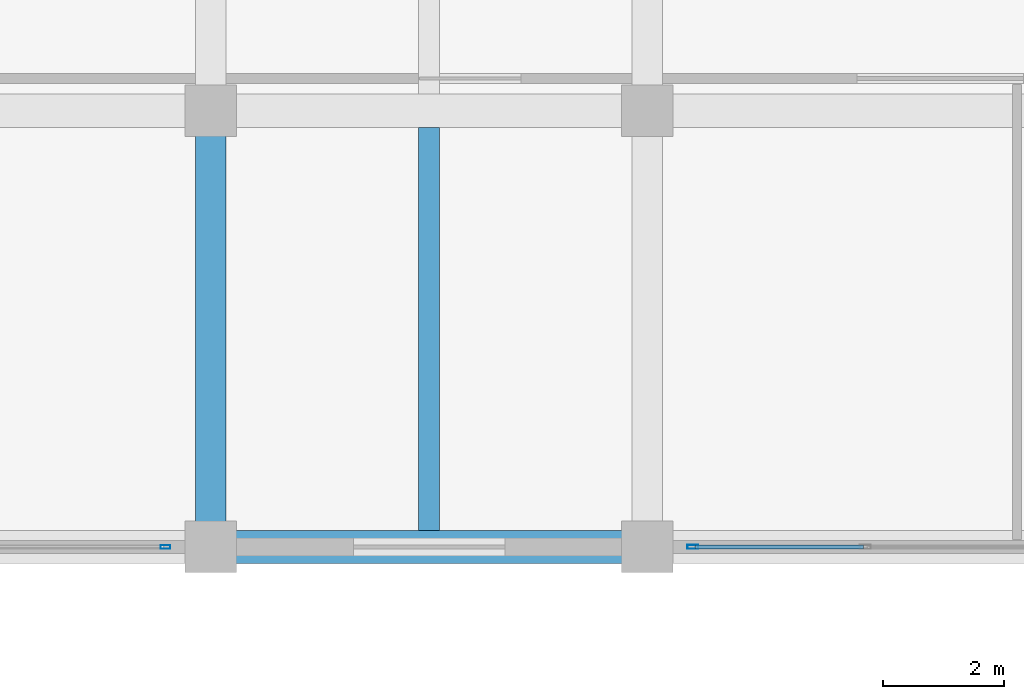
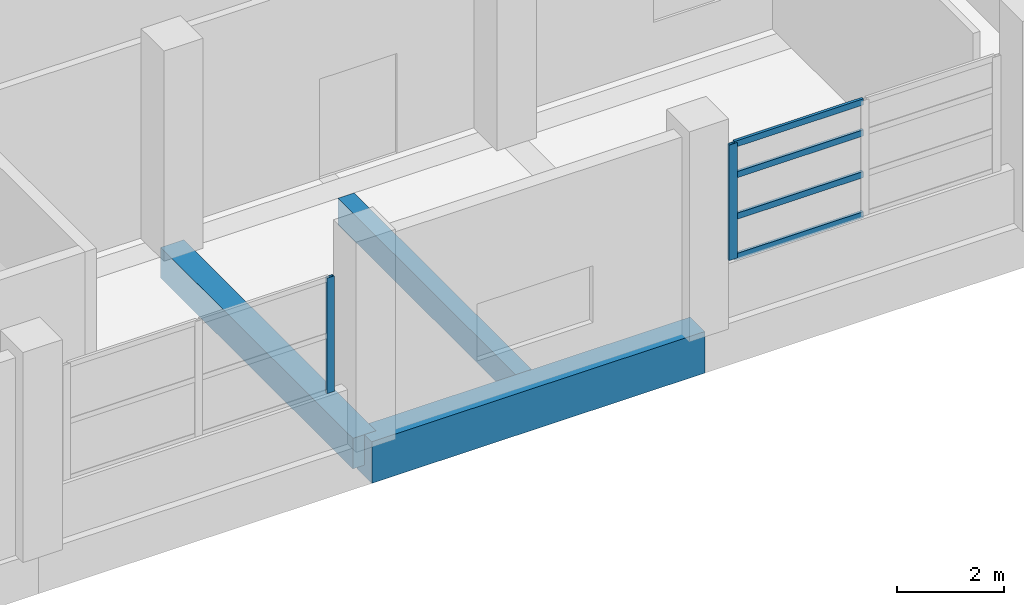
# One storey, part 85 of 181: 6 members, 3 beams, 2 elements without a shape of their own.
"""IFC4 building model written with IfcOpenShell, lengths in metres."""

from ifc_helpers import new_model, si_unit, direction, frame, origin, origin_2d, place, context, subcontext, project, spatial, rectangle, hollow_rectangle, extrude, material, layer, layer_set, material_profile, profile_set, type_object, element, aggregate, save


model = new_model("IFC4")

# Units and contexts
model_context = context("Model", 3, precision=1e-05, world=origin(), true_north=direction((0.0, 1.0)))
body_context = subcontext(model_context, "Body", "Model", "MODEL_VIEW")
ifc_project = project(units=[si_unit("LENGTHUNIT", "METRE"), si_unit("AREAUNIT", "SQUARE_METRE"), si_unit("VOLUMEUNIT", "CUBIC_METRE"), si_unit("PLANEANGLEUNIT", "RADIAN"), si_unit("MASSUNIT", "GRAM", prefix="KILO")], contexts=[model_context])

# Site, building, storey
site_placement = place(None, origin())
site = spatial("IfcSite", under=ifc_project, at=site_placement, CompositionType="ELEMENT")
building_placement = place(site_placement, origin())
building = spatial("IfcBuilding", under=site, at=building_placement, Name="Seraya Terrace Polytechnic", CompositionType="ELEMENT")
storey_placement = place(building_placement, frame((0.0, 0.0, 4.800048828125)))
storey = spatial("IfcBuildingStorey", under=building, at=storey_placement, Name="L01", CompositionType="ELEMENT", Elevation=4.800048828125)

# Beams
ifc_material_1 = material(Name="Concrete C40/50", Category="concrete")
ifc_material_profile_1 = material_profile(ifc_material_1, rectangle(XDim=0.550048828125, YDim=0.949951171875, at=origin_2d()), Name="RC 550x950")
ifc_profile_set_1 = profile_set([ifc_material_profile_1], Name="Concrete C40/50")
beam_type_1 = type_object("IfcBeamType", Name="BM-03", PredefinedType="BEAM", material=ifc_profile_set_1)
beam_1_placement = place(storey_placement, frame((64.800048828125, 64.800048828125, -0.47509765625), z_axis=(1.0, 0.0, 0.0), x_axis=(0.0, 1.0, 0.0)))
element("IfcBeam", 1, at=beam_1_placement, inside=storey, type_object=beam_type_1, Name="Beam BM-03 L01 X (64.8..72.0, 64.8)", PredefinedType="BEAM", context=body_context, shape_type="SweptSolid", body=[
    extrude(rectangle(XDim=0.550048828125, YDim=0.949951171875, at=origin_2d()), origin(), (0.0, 0.0, 1.0), 7.199951171875),
])
ifc_material_profile_2 = material_profile(ifc_material_1, rectangle(XDim=0.5, YDim=0.699951171875, at=origin_2d()), Name="RC 500x700")
ifc_profile_set_2 = profile_set([ifc_material_profile_2], Name="Concrete C40/50")
beam_type_2 = type_object("IfcBeamType", Name="BM-07", PredefinedType="BEAM", material=ifc_profile_set_2)
beam_2_placement = place(storey_placement, frame((64.800048828125, 64.800048828125, -0.35009765625), z_axis=(0.0, 1.0, 0.0), x_axis=(-1.0, 0.0, 0.0)))
element("IfcBeam", 2, at=beam_2_placement, inside=storey, type_object=beam_type_2, Name="Beam BM-07 L01 Y (64.8, 64.8..72.0)", PredefinedType="BEAM", context=body_context, shape_type="SweptSolid", body=[
    extrude(rectangle(XDim=0.5, YDim=0.699951171875, at=origin_2d()), origin(), (0.0, 0.0, 1.0), 7.199951171875),
])

# Curtain wall, member
ifc_material_2 = material(Name="Anodised aluminium EN AW-6063 T6", Category="aluminium")
ifc_layer_1 = layer(ifc_material_2, 0.179931640625, Name="CW-07")
ifc_layer_set_1 = layer_set([ifc_layer_1], Name="Anodised aluminium EN AW-6063 T6")
curtain_wall_type_1 = type_object("IfcCurtainWallType", Name="CW-07", PredefinedType="NOTDEFINED", material=ifc_layer_set_1)
curtain_wall_1_placement = place(storey_placement, origin())
curtain_wall_1 = element("IfcCurtainWall", 3, at=curtain_wall_1_placement, inside=storey, type_object=curtain_wall_type_1, Name="Unitised curtain wall CW-07 (CW-L01-043)", PredefinedType="NOTDEFINED")
ifc_material_profile_3 = material_profile(ifc_material_2, hollow_rectangle(XDim=0.06494140625, YDim=0.179931640625, WallThickness=0.00390625, at=origin_2d()), Name="RHS 180x65x4.0")
ifc_profile_set_3 = profile_set([ifc_material_profile_3], Name="Anodised aluminium EN AW-6063 T6")
member_type_1 = type_object("IfcMemberType", Name="CWM-01", PredefinedType="MULLION", material=ifc_profile_set_3)
member_1_placement = place(storey_placement, frame((72.75244140625, 64.800048828125, 1.239990234375), z_axis=(0.0, 0.0, 1.0), x_axis=(0.0, -1.0, 0.0)))
member_1 = element("IfcMember", 4, at=member_1_placement, type_object=member_type_1, Name="CW-07 mullion 3", PredefinedType="MULLION", context=body_context, shape_type="SweptSolid", body=[
    extrude(hollow_rectangle(XDim=0.06494140625, YDim=0.179931640625, WallThickness=0.00390625, at=origin_2d()), origin(), (0.0, 0.0, 1.0), 2.639892578125),
])

ifc_layer_2 = layer(ifc_material_2, 0.179931640625, Name="CW-08")
ifc_layer_set_2 = layer_set([ifc_layer_2], Name="Anodised aluminium EN AW-6063 T6")
curtain_wall_type_2 = type_object("IfcCurtainWallType", Name="CW-08", PredefinedType="NOTDEFINED", material=ifc_layer_set_2)
curtain_wall_2_placement = place(storey_placement, origin())
curtain_wall_2 = element("IfcCurtainWall", 5, at=curtain_wall_2_placement, inside=storey, type_object=curtain_wall_type_2, Name="Unitised curtain wall CW-08 (CW-L01-044)", PredefinedType="NOTDEFINED")
ifc_material_profile_4 = material_profile(ifc_material_2, hollow_rectangle(XDim=0.06005859375, YDim=0.159912109375, WallThickness=0.00341796875, at=origin_2d()), Name="RHS 160x60x3.5")
ifc_profile_set_4 = profile_set([ifc_material_profile_4], Name="Anodised aluminium EN AW-6063 T6")
member_type_2 = type_object("IfcMemberType", Name="CWM-02", PredefinedType="MULLION", material=ifc_profile_set_4)
member_2_placement = place(storey_placement, frame((64.050048828125, 64.800048828125, 1.239990234375), z_axis=(0.0, 0.0, 1.0), x_axis=(0.0, -1.0, 0.0)))
member_2 = element("IfcMember", 6, at=member_2_placement, type_object=member_type_2, Name="CW-08 mullion 1", PredefinedType="MULLION", context=body_context, shape_type="SweptSolid", body=[
    extrude(hollow_rectangle(XDim=0.06005859375, YDim=0.159912109375, WallThickness=0.00341796875, at=origin_2d()), origin(), (0.0, 0.0, 1.0), 2.639892578125),
])
aggregate(curtain_wall_2, [member_2])

# Member
ifc_material_profile_5 = material_profile(ifc_material_2, hollow_rectangle(XDim=0.06005859375, YDim=0.139892578125, WallThickness=0.00341796875, at=origin_2d()), Name="RHS 140x60x3.5")
ifc_profile_set_5 = profile_set([ifc_material_profile_5], Name="Anodised aluminium EN AW-6063 T6")
member_type_3 = type_object("IfcMemberType", Name="CWT-01", PredefinedType="USERDEFINED", material=ifc_profile_set_5)
member_3_placement = place(storey_placement, frame((75.5673828125, 64.800048828125, 1.27001953125), z_axis=(-1.0, 0.0, 0.0), x_axis=(0.0, -1.0, 0.0)))
member_3 = element("IfcMember", 7, at=member_3_placement, type_object=member_type_3, Name="CW-07 transom 2.1", ObjectType="TRANSOM", PredefinedType="USERDEFINED", context=body_context, shape_type="SweptSolid", body=[
    extrude(hollow_rectangle(XDim=0.06005859375, YDim=0.139892578125, WallThickness=0.00341796875, at=origin_2d()), origin(), (0.0, 0.0, 1.0), 2.782470703125),
])

member_4_placement = place(storey_placement, frame((75.5673828125, 64.800048828125, 2.1904296875), z_axis=(-1.0, 0.0, 0.0), x_axis=(0.0, -1.0, 0.0)))
member_4 = element("IfcMember", 8, at=member_4_placement, type_object=member_type_3, Name="CW-07 transom 2.2", ObjectType="TRANSOM", PredefinedType="USERDEFINED", context=body_context, shape_type="SweptSolid", body=[
    extrude(hollow_rectangle(XDim=0.06005859375, YDim=0.139892578125, WallThickness=0.00341796875, at=origin_2d()), origin(), (0.0, 0.0, 1.0), 2.782470703125),
])

member_5_placement = place(storey_placement, frame((75.5673828125, 64.800048828125, 3.140869140625), z_axis=(-1.0, 0.0, 0.0), x_axis=(0.0, -1.0, 0.0)))
member_5 = element("IfcMember", 9, at=member_5_placement, type_object=member_type_3, Name="CW-07 transom 2.3", ObjectType="TRANSOM", PredefinedType="USERDEFINED", context=body_context, shape_type="SweptSolid", body=[
    extrude(hollow_rectangle(XDim=0.06005859375, YDim=0.139892578125, WallThickness=0.00341796875, at=origin_2d()), origin(), (0.0, 0.0, 1.0), 2.782470703125),
])

member_6_placement = place(storey_placement, frame((75.5673828125, 64.800048828125, 3.849853515625), z_axis=(-1.0, 0.0, 0.0), x_axis=(0.0, -1.0, 0.0)))
member_6 = element("IfcMember", 10, at=member_6_placement, type_object=member_type_3, Name="CW-07 transom 2.4", ObjectType="TRANSOM", PredefinedType="USERDEFINED", context=body_context, shape_type="SweptSolid", body=[
    extrude(hollow_rectangle(XDim=0.06005859375, YDim=0.139892578125, WallThickness=0.00341796875, at=origin_2d()), origin(), (0.0, 0.0, 1.0), 2.782470703125),
])

aggregate(curtain_wall_1, [member_1, member_3, member_4, member_5, member_6])

# Beam
ifc_material_profile_6 = material_profile(ifc_material_1, rectangle(XDim=0.35009765625, YDim=0.60009765625, at=origin_2d()), Name="RC 350x600")
ifc_profile_set_6 = profile_set([ifc_material_profile_6], Name="Concrete C40/50")
beam_type_3 = type_object("IfcBeamType", Name="JS-02", PredefinedType="JOIST", material=ifc_profile_set_6)
beam_3_placement = place(storey_placement, frame((68.39990234375, 65.074951171875, -0.300048828125), z_axis=(0.0, 1.0, 0.0), x_axis=(-1.0, 0.0, 0.0)))
element("IfcBeam", 11, at=beam_3_placement, inside=storey, type_object=beam_type_3, Name="Secondary joist JS-02 L01", PredefinedType="JOIST", context=body_context, shape_type="SweptSolid", body=[
    extrude(rectangle(XDim=0.35009765625, YDim=0.60009765625, at=origin_2d()), origin(), (0.0, 0.0, 1.0), 6.650146484375),
])

save(model, "model.ifc")
